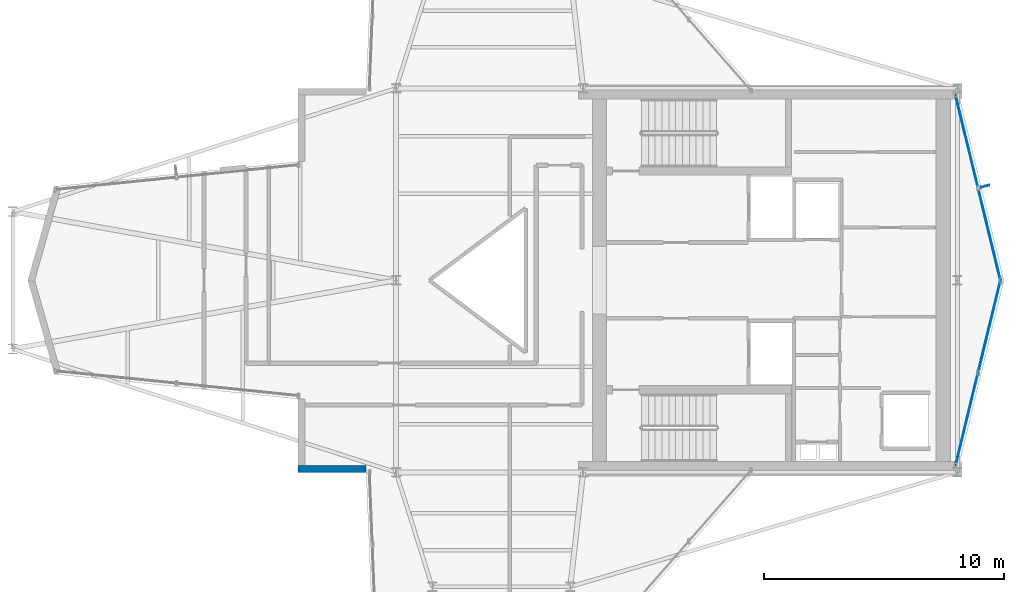
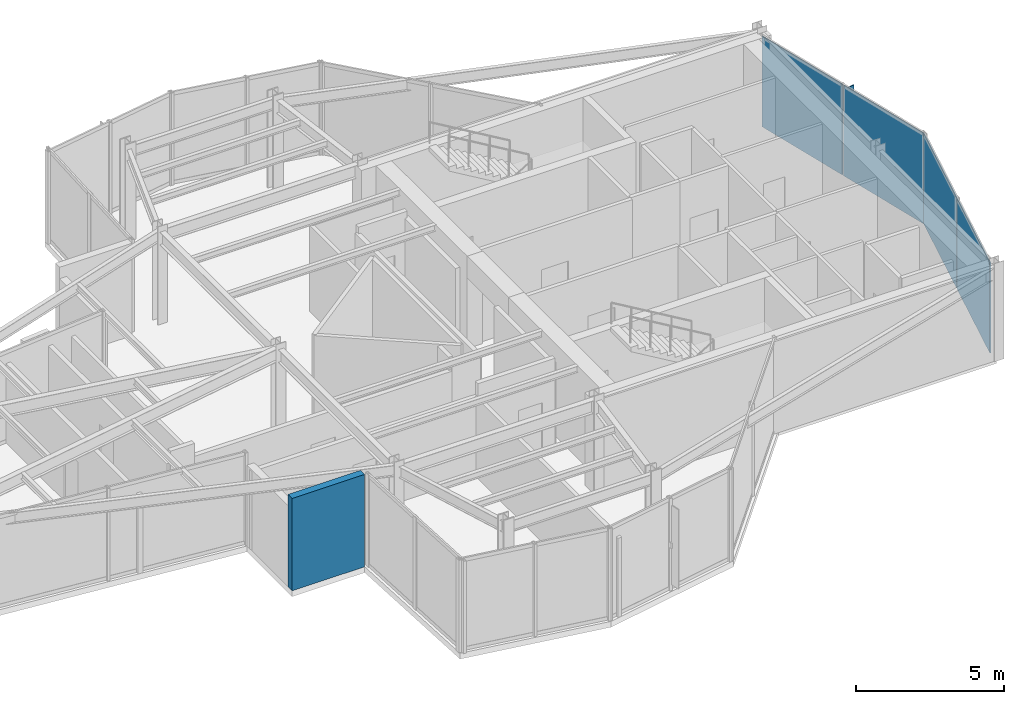
# One storey, part 12 of 15: 5 plates, 1 wall, 2 elements without a shape of their own.
"""IFC4 building model written with IfcOpenShell, lengths in metres."""

from ifc_helpers import new_model, si_unit, direction, frame, frame_2d, origin, origin_2d, place, context, subcontext, project, spatial, rectangle, extrude, material, layer, layer_set, type_object, element, aggregate, save


model = new_model("IFC4")

# Units and contexts
model_context = context("Model", 3, precision=1e-05, world=origin(), true_north=direction((0.0, 1.0)))
body_context = subcontext(model_context, "Body", "Model", "MODEL_VIEW")
ifc_project = project(units=[si_unit("LENGTHUNIT", "METRE"), si_unit("AREAUNIT", "SQUARE_METRE"), si_unit("VOLUMEUNIT", "CUBIC_METRE"), si_unit("PLANEANGLEUNIT", "RADIAN"), si_unit("MASSUNIT", "GRAM", prefix="KILO")], contexts=[model_context])

# Site, building, storey
site_placement = place(None, origin())
site = spatial("IfcSite", under=ifc_project, at=site_placement, CompositionType="ELEMENT")
building_placement = place(site_placement, origin())
building = spatial("IfcBuilding", under=site, at=building_placement, Name="Veymaron Broadcast Tower", CompositionType="ELEMENT")
storey_placement = place(building_placement, frame((0.0, 0.0, 266.85009765625)))
storey = spatial("IfcBuildingStorey", under=building, at=storey_placement, Name="L62", CompositionType="ELEMENT", Elevation=266.85009765625)

# Curtain wall, plates
ifc_material_1 = material(Name="Anodised aluminium AA 6063-T6 and laminated low-E dark glass", Category="aluminium")
ifc_layer_1 = layer(ifc_material_1, 0.179931640625)
ifc_layer_set_1 = layer_set([ifc_layer_1], Name="Anodised aluminium AA 6063-T6 and laminated low-E dark glass")
curtain_wall_type = type_object("IfcCurtainWallType", Name="CW-SYS-06", PredefinedType="NOTDEFINED", material=ifc_layer_set_1)
curtain_wall_1_placement = place(storey_placement, origin())
curtain_wall_1 = element("IfcCurtainWall", 1, at=curtain_wall_1_placement, inside=storey, type_object=curtain_wall_type, Name="L62 dark-glass curtain wall CW-L62-E2-1", PredefinedType="NOTDEFINED")
ifc_material_2 = material(Name="Insulated dark-anodised aluminium spandrel panel 40 mm", Category="aluminium")
ifc_layer_2 = layer(ifc_material_2, 0.0400390625)
ifc_layer_set_2 = layer_set([ifc_layer_2], Name="Insulated dark-anodised aluminium spandrel panel 40 mm")
plate_type_1 = type_object("IfcPlateType", Name="CW-PNL-03", PredefinedType="CURTAIN_PANEL", material=ifc_layer_set_2)
plate_1_placement = place(storey_placement, frame((54.99169921875, 18.20849609375, 0.039794921875), z_axis=(0.0, 0.0, 1.0), x_axis=(0.235701883419, 0.971825407238, 0.0)))
plate_1 = element("IfcPlate", 2, at=plate_1_placement, type_object=plate_type_1, Name="CW-L62-E2-1 unitised curtain panel 0", PredefinedType="CURTAIN_PANEL", context=body_context, shape_type="SweptSolid", body=[
    extrude(rectangle(XDim=3.935546875, YDim=0.0400390625, at=origin_2d()), origin(), (0.0, 0.0, 1.0), 3.72998046875),
])
plate_2_placement = place(storey_placement, frame((55.933349609375, 22.091552734375, 0.039794921875), z_axis=(0.0, 0.0, 1.0), x_axis=(0.235701883419, 0.971825407238, 0.0)))
plate_2 = element("IfcPlate", 3, at=plate_2_placement, type_object=plate_type_1, Name="CW-L62-E2-1 unitised curtain panel 1", PredefinedType="CURTAIN_PANEL", context=body_context, shape_type="SweptSolid", body=[
    extrude(rectangle(XDim=3.935546875, YDim=0.0400390625, at=origin_2d()), origin(), (0.0, 0.0, 1.0), 3.72998046875),
])
aggregate(curtain_wall_1, [plate_1, plate_2])

curtain_wall_2_placement = place(storey_placement, origin())
curtain_wall_2 = element("IfcCurtainWall", 4, at=curtain_wall_2_placement, inside=storey, type_object=curtain_wall_type, Name="L62 dark-glass curtain wall CW-L62-E3-1", PredefinedType="NOTDEFINED")
plate_3_placement = place(storey_placement, frame((55.933349609375, 25.908447265625, 0.039794921875), z_axis=(0.0, 0.0, 1.0), x_axis=(-0.235701883419, 0.971825407238, 0.0)))
plate_3 = element("IfcPlate", 5, at=plate_3_placement, type_object=plate_type_1, Name="CW-L62-E3-1 unitised curtain panel 0", PredefinedType="CURTAIN_PANEL", context=body_context, shape_type="SweptSolid", body=[
    extrude(rectangle(XDim=3.935546875, YDim=0.0400390625, at=origin_2d()), origin(), (0.0, 0.0, 1.0), 3.72998046875),
])
plate_4_placement = place(storey_placement, frame((54.99169921875, 29.79150390625, 0.039794921875), z_axis=(0.0, 0.0, 1.0), x_axis=(-0.235701883419, 0.971825407238, 0.0)))
plate_4 = element("IfcPlate", 6, at=plate_4_placement, type_object=plate_type_1, Name="CW-L62-E3-1 unitised curtain panel 1", PredefinedType="CURTAIN_PANEL", context=body_context, shape_type="SweptSolid", body=[
    extrude(rectangle(XDim=3.935546875, YDim=0.0400390625, at=origin_2d()), origin(), (0.0, 0.0, 1.0), 3.72998046875),
])
aggregate(curtain_wall_2, [plate_3, plate_4])

# Plate
ifc_material_3 = material(Name="Dark-anodised aluminium AA 6061-T6", Category="aluminium")
ifc_layer_3 = layer(ifc_material_3, 0.030029296875)
ifc_layer_set_3 = layer_set([ifc_layer_3], Name="Dark-anodised aluminium AA 6061-T6")
plate_type_2 = type_object("IfcPlateType", Name="FIN-CHEV-02", PredefinedType="USERDEFINED", material=ifc_layer_set_3)
plate_5_placement = place(storey_placement, frame((55.7587890625, 27.921875, 0.2666015625), z_axis=(0.0, 0.0, 1.0), x_axis=(0.971825407238, 0.235701883419, 0.0)))
element("IfcPlate", 7, at=plate_5_placement, inside=storey, type_object=plate_type_2, Name="CW-L62-E3-1 chevron fin 1", ObjectType="FIN", PredefinedType="USERDEFINED", context=body_context, shape_type="SweptSolid", body=[
    extrude(rectangle(XDim=0.35009765625, YDim=0.034912109375, at=origin_2d()), origin(), (0.0, 0.0, 1.0), 3.276611328125),
])

# Wall
ifc_material_4 = material(Name="Precast concrete C40/50", Category="concrete")
ifc_layer_4 = layer(ifc_material_4, 0.280029296875)
ifc_layer_set_4 = layer_set([ifc_layer_4], Name="Precast concrete C40/50")
wall_type = type_object("IfcWallType", Name="WALL-EXT-280", PredefinedType="STANDARD", material=ifc_layer_set_4)
wall_placement = place(storey_placement, frame((27.12158203125, 16.139892578125, 0.0), z_axis=(0.0, 0.0, 1.0), x_axis=(1.0, 0.0, 0.0)))
element("IfcWall", 8, at=wall_placement, inside=storey, type_object=wall_type, Name="L62 notched corner facade pier 16-1", PredefinedType="STANDARD", context=body_context, shape_type="SweptSolid", body=[
    extrude(rectangle(XDim=2.83203125, YDim=0.280029296875, at=frame_2d((1.416015625, 0.0))), origin(), (0.0, 0.0, 1.0), 3.809814453125),
])

save(model, "model.ifc")
